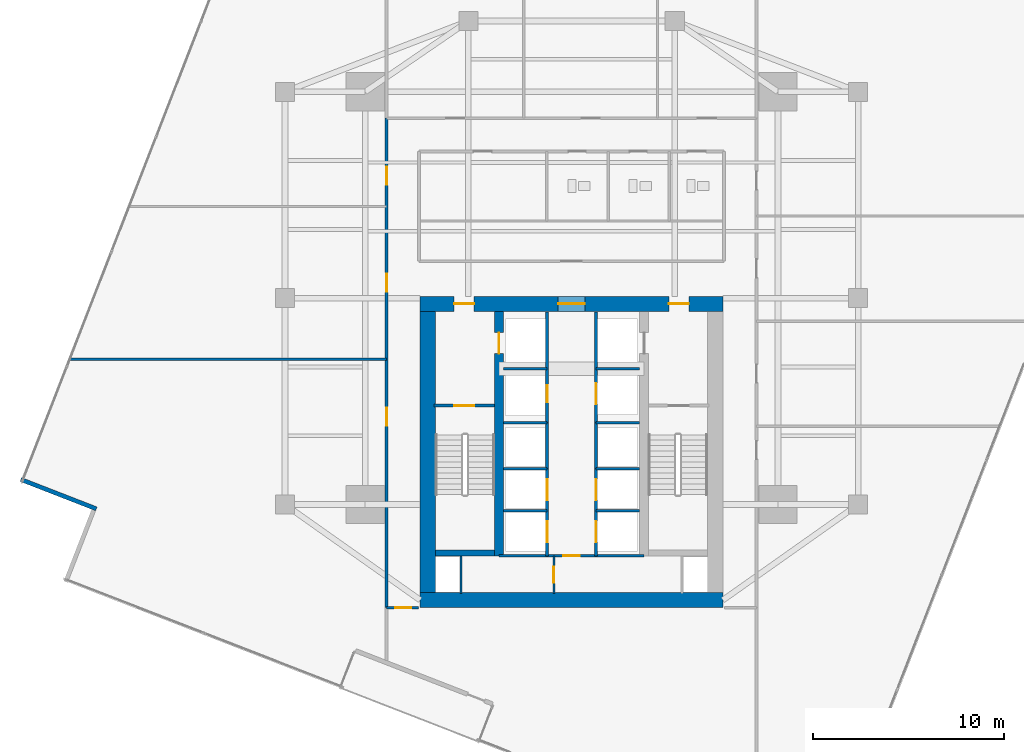
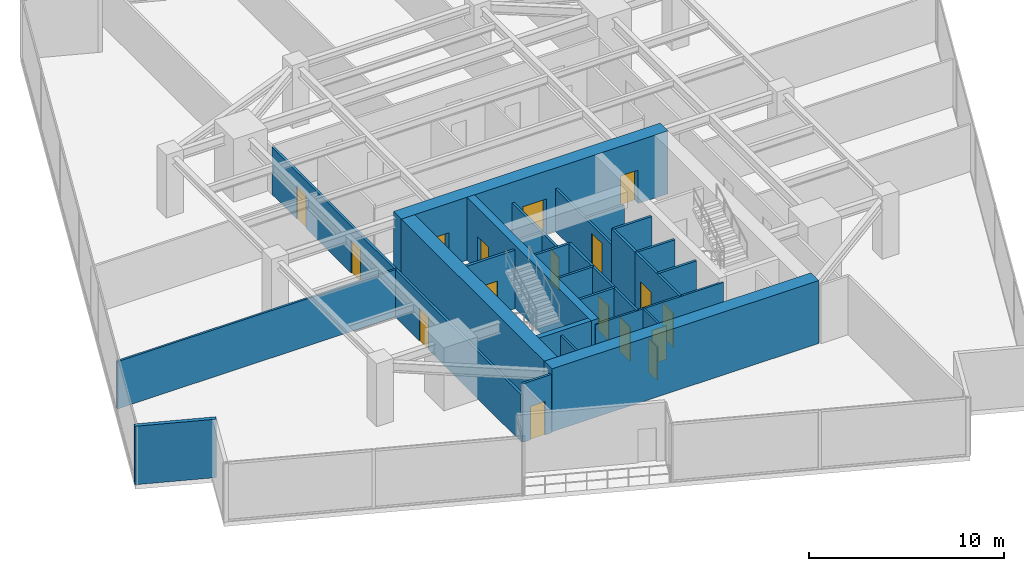
# One storey, part 22 of 26: 27 walls, 17 doors, 17 openings.
"""IFC4 building model written with IfcOpenShell, lengths in metres."""

import ifcopenshell
import ifcopenshell.guid

model = None  # the IFC model being written
_history = None  # IfcOwnerHistory: only IFC2X3 demands one
_inside = {}  # id of a spatial element -> (the spatial element, [elements in it])
_under = {}  # id of a project, library or spatial element -> (it, [spatial elements below it])
_declared = {}  # id of a project -> (the project, [libraries it declares])
_typed = {}  # id of a type object -> (the type object, [elements of that type])
_made_of = {}  # id of a material, layer set ... -> (it, [elements and type objects made of it])


def new_model(schema):
    """Start an empty IFC model of exactly this schema.

    Asked for "IFC4X3", IfcOpenShell would pick the latest addendum, in which some entities
    have other attributes; the version numbers below select the first issue.
    IFC2X3 requires an IfcOwnerHistory on every rooted entity: one is made here for all.
    """
    global model, _history
    if schema == "IFC4X3":
        model = ifcopenshell.file(schema_version=(4, 3, 0, 0))
    else:
        model = ifcopenshell.file(schema=schema)
    _inside.clear()
    _under.clear()
    _declared.clear()
    _typed.clear()
    _made_of.clear()
    _history = None
    if model.schema == "IFC2X3":
        org = make("IfcOrganization", Name="unknown")
        user = make(
            "IfcPersonAndOrganization",
            ThePerson=make("IfcPerson", FamilyName="unknown"),
            TheOrganization=org,
        )
        app = make(
            "IfcApplication",
            ApplicationDeveloper=org,
            Version="unknown",
            ApplicationFullName="unknown",
            ApplicationIdentifier="unknown",
        )
        _history = make(
            "IfcOwnerHistory",
            OwningUser=user,
            OwningApplication=app,
            ChangeAction="ADDED",
            CreationDate=0,
        )
    return model


def make(cls, **values):
    """One entity of the class cls with the attributes given. An attribute that is None is left unset."""
    return model.create_entity(
        cls, **{name: value for name, value in values.items() if value is not None}
    )


def rooted(cls, **values):
    """An entity with a GlobalId (a new one), such as an element, a storey or a relation."""
    return make(cls, GlobalId=ifcopenshell.guid.new(), OwnerHistory=_history, **values)


def si_unit(unit_type, name, prefix=None):
    """IfcSIUnit, for example si_unit("LENGTHUNIT", "METRE", prefix="MILLI")."""
    return make("IfcSIUnit", UnitType=unit_type, Prefix=prefix, Name=name)


def assignment(units):
    """IfcUnitAssignment: the units of a project."""
    return None if units is None else make("IfcUnitAssignment", Units=units)


def point(xyz):
    """IfcCartesianPoint."""
    return None if xyz is None else make("IfcCartesianPoint", Coordinates=xyz)


def direction(xyz):
    """IfcDirection."""
    return None if xyz is None else make("IfcDirection", DirectionRatios=xyz)


def frame(location, z_axis=None, x_axis=None):
    """IfcAxis2Placement3D, a coordinate frame: its origin and axes. An axis left out is left unset."""
    return make(
        "IfcAxis2Placement3D",
        Location=point(location),
        Axis=direction(z_axis),
        RefDirection=direction(x_axis),
    )


def frame_2d(location, x_axis=None):
    """IfcAxis2Placement2D, a coordinate frame in the plane: its origin and x axis."""
    return make(
        "IfcAxis2Placement2D", Location=point(location), RefDirection=direction(x_axis)
    )


def origin():
    """The frame at (0, 0, 0) with its axes left unset."""
    return frame((0.0, 0.0, 0.0))


def place(relative_to, where):
    """IfcLocalPlacement: puts the frame where relative to a parent placement (None: the world)."""
    return make(
        "IfcLocalPlacement", PlacementRelTo=relative_to, RelativePlacement=where
    )


def context(
    kind, dimensions, precision=None, world=None, true_north=None, identifier=None
):
    """IfcGeometricRepresentationContext, for example the 3D "Model" context."""
    return make(
        "IfcGeometricRepresentationContext",
        ContextIdentifier=identifier,
        ContextType=kind,
        CoordinateSpaceDimension=dimensions,
        Precision=precision,
        WorldCoordinateSystem=world,
        TrueNorth=true_north,
    )


def subcontext(parent, identifier, kind, view, scale=None):
    """IfcGeometricRepresentationSubContext, for example "Body" below "Model"."""
    return make(
        "IfcGeometricRepresentationSubContext",
        ContextIdentifier=identifier,
        ContextType=kind,
        ParentContext=parent,
        TargetScale=scale,
        TargetView=view,
    )


def project(units=None, contexts=None):
    """IfcProject with its units and contexts."""
    return rooted(
        "IfcProject",
        Name="project",
        RepresentationContexts=contexts,
        UnitsInContext=assignment(units),
    )


def spatial(cls, under=None, at=None, **own):
    """A site, building, storey or space (cls), placed at a placement, below another one or the project."""
    s = rooted(cls, ObjectPlacement=at, **own)
    if under is not None:
        _under.setdefault(under.id(), (under, []))[1].append(s)
    return s


def profile(cls, at=None, kind="AREA", **sizes):
    """A parametric profile (cls). Its sizes go by their IFC names, for example OverallWidth=200.0."""
    return make(cls, ProfileType=kind, Position=at, **sizes)


def rectangle(**sizes):
    """IfcRectangleProfileDef."""
    return profile("IfcRectangleProfileDef", **sizes)


def extrude(swept, where, along, depth):
    """IfcExtrudedAreaSolid: the profile swept, set in the frame where, extruded along a direction by depth."""
    return make(
        "IfcExtrudedAreaSolid",
        SweptArea=swept,
        Position=where,
        ExtrudedDirection=direction(along),
        Depth=depth,
    )


def shape(context_of_items, identifier, shape_type, items):
    """IfcShapeRepresentation: the items that make up one representation, for example the "Body"."""
    return make(
        "IfcShapeRepresentation",
        ContextOfItems=context_of_items,
        RepresentationIdentifier=identifier,
        RepresentationType=shape_type,
        Items=items,
    )


def material(Name=None, Category=None):
    """IfcMaterial."""
    return make("IfcMaterial", Name=Name, Category=Category)


def layer(
    of_material, thickness, ventilated=None, Name=None, Category=None, Priority=None
):
    """IfcMaterialLayer: one layer of a wall or slab, of a material (None: an air gap)."""
    return make(
        "IfcMaterialLayer",
        Material=of_material,
        LayerThickness=thickness,
        IsVentilated=ventilated,
        Name=Name,
        Category=Category,
        Priority=Priority,
    )


def layer_set(layers, Name=None):
    """IfcMaterialLayerSet."""
    return make("IfcMaterialLayerSet", MaterialLayers=layers, LayerSetName=Name)


def made_of(thing, what):
    """Note that an element or type object is made of a material, layer set ...; save() writes the relation."""
    if what is not None:
        _made_of.setdefault(what.id(), (what, []))[1].append(thing)
    return thing


def type_object(cls, material=None, **own):
    """A type object (cls), such as IfcWallType, which elements share."""
    return made_of(rooted(cls, **own), material)


def element(
    cls,
    number,
    at=None,
    inside=None,
    cuts=None,
    type_object=None,
    material=None,
    context=None,
    identifier="Body",
    shape_type=None,
    held_by="IfcProductDefinitionShape",
    body=None,
    shapes=None,
    **own,
):
    """One element of the class cls, such as IfcWall. Its Tag is "e" and its number.

    at: its placement. inside: the storey or other place that contains it. cuts: it is an
    opening in that element (IfcRelVoidsElement). A single representation is given by context,
    identifier, shape_type and body (its items); several are given by shapes. held_by: the class
    of the entity that holds the representations. save() writes the other relations.
    """
    e = rooted(cls, Tag="e%d" % number, ObjectPlacement=at, **own)
    if body is not None:
        shapes = [shape(context, identifier, shape_type, body)]
    if shapes is not None:
        e.Representation = make(held_by, Representations=shapes)
    if inside is not None:
        _inside.setdefault(inside.id(), (inside, []))[1].append(e)
    if cuts is not None:
        rooted(
            "IfcRelVoidsElement", RelatingBuildingElement=cuts, RelatedOpeningElement=e
        )
    if type_object is not None:
        _typed.setdefault(type_object.id(), (type_object, []))[1].append(e)
    return made_of(e, material)


def fill(opening, filler):
    """IfcRelFillsElement: the door or window that sits in an opening."""
    return rooted(
        "IfcRelFillsElement",
        RelatingOpeningElement=opening,
        RelatedBuildingElement=filler,
    )


def aggregate(whole, parts):
    """IfcRelAggregates: a whole, such as a stair, and the parts it consists of."""
    return rooted("IfcRelAggregates", RelatingObject=whole, RelatedObjects=parts)


def save(model, path):
    """Write the relations noted so far, then the file.

    IfcRelAggregates (storeys below a building ...), IfcRelContainedInSpatialStructure (elements
    in a storey), IfcRelDefinesByType, IfcRelAssociatesMaterial and IfcRelDeclares: one each for
    every whole, place, type object, material and project.
    """
    for whole, parts in _under.values():
        aggregate(whole, parts)
    for where, things in _inside.values():
        rooted(
            "IfcRelContainedInSpatialStructure",
            RelatedElements=things,
            RelatingStructure=where,
        )
    for kind, things in _typed.values():
        rooted("IfcRelDefinesByType", RelatedObjects=things, RelatingType=kind)
    for what, things in _made_of.values():
        rooted("IfcRelAssociatesMaterial", RelatedObjects=things, RelatingMaterial=what)
    for by, libraries in _declared.values():
        rooted("IfcRelDeclares", RelatingContext=by, RelatedDefinitions=libraries)
    model.write(path)


model = new_model("IFC4")

# Units and contexts
model_context = context("Model", 3, precision=1e-05, world=origin(), true_north=direction((0.0, 1.0)))
body_context = subcontext(model_context, "Body", "Model", "MODEL_VIEW")
ifc_project = project(units=[si_unit("LENGTHUNIT", "METRE"), si_unit("AREAUNIT", "SQUARE_METRE"), si_unit("VOLUMEUNIT", "CUBIC_METRE"), si_unit("PLANEANGLEUNIT", "RADIAN"), si_unit("MASSUNIT", "GRAM", prefix="KILO")], contexts=[model_context])

# Site, building, storey
site_placement = place(None, origin())
site = spatial("IfcSite", under=ifc_project, at=site_placement, CompositionType="ELEMENT")
building_placement = place(site_placement, origin())
building = spatial("IfcBuilding", under=site, at=building_placement, Name="Krantzveldt Concourse Tower", CompositionType="ELEMENT")
storey_placement = place(building_placement, frame((0.0, 0.0, 129.550048828125)))
storey = spatial("IfcBuildingStorey", under=building, at=storey_placement, Name="L31", CompositionType="ELEMENT", Elevation=129.550048828125)

# Wall
ifc_material_1 = material(Name="Anodised aluminium 6063-T6", Category="aluminium")
ifc_layer_1 = layer(ifc_material_1, 0.219970703125, Name="Anodised aluminium 6063-T6", Category="aluminium")
ifc_layer_set_1 = layer_set([ifc_layer_1], Name="Anodised aluminium 6063-T6 (WL-EXT-NOTCH220)")
wall_type_1 = type_object("IfcWallType", Name="WL-EXT-NOTCH220", PredefinedType="ELEMENTEDWALL", material=ifc_layer_set_1)
wall_1_placement = place(storey_placement, frame((7.17626953125, 17.211669921875, 0.0), z_axis=(0.0, 0.0, 1.0), x_axis=(0.932003592198, -0.362449036596, 0.0)))
element("IfcWall", 1, at=wall_1_placement, inside=storey, type_object=wall_type_1, Name="EW-L31-NCH02", PredefinedType="ELEMENTEDWALL", context=body_context, shape_type="SweptSolid", body=[
    extrude(rectangle(XDim=4.244873046875, YDim=0.219970703125, at=frame_2d((2.12255859375, 0.0))), origin(), (0.0, 0.0, 1.0), 3.669921875),
])

# Wall, opening, door
ifc_material_2 = material(Name="Fire-rated gypsum plasterboard on steel stud", Category="steel")
ifc_layer_2 = layer(ifc_material_2, 0.1201171875, Name="Fire-rated gypsum plasterboard on steel stud", Category="steel")
ifc_layer_set_2 = layer_set([ifc_layer_2], Name="Fire-rated gypsum plasterboard on steel stud (WL-PART-120)")
wall_type_2 = type_object("IfcWallType", Name="WL-PART-120", PredefinedType="PARTITIONING", material=ifc_layer_set_2)
wall_2_placement = place(storey_placement, frame((32.2099609375, 13.219970703125, 0.0), z_axis=(0.0, 0.0, 1.0), x_axis=(1.0, 0.0, 0.0)))
wall_2 = element("IfcWall", 2, at=wall_2_placement, inside=storey, type_object=wall_type_2, Name="WP-L31-CS2H", PredefinedType="PARTITIONING", context=body_context, shape_type="SweptSolid", body=[
    extrude(rectangle(XDim=7.580078125, YDim=0.1201171875, at=frame_2d((3.7900390625, 0.0))), origin(), (0.0, 0.0, 1.0), 3.669921875),
])
opening_1_placement = place(wall_2_placement, frame((3.364990234375, 0.0, 0.0)))
opening_1 = element("IfcOpeningElement", 3, at=opening_1_placement, cuts=wall_2, Name="Opening D-IN085", PredefinedType="OPENING", context=body_context, shape_type="SweptSolid", body=[
    extrude(rectangle(XDim=0.85009765625, YDim=2.10009765625, at=frame_2d((0.425048828125, 1.050048828125))), frame((0.0, 0.070068359375, 0.0), z_axis=(0.0, -1.0, 0.0), x_axis=(1.0, 0.0, 0.0)), (0.0, 0.0, 1.0), 0.14013671875),
])
ifc_material_3 = material(Name="Hardwood timber", Category="wood")
door_type_1 = type_object("IfcDoorType", Name="DR-INT-850", OperationType="SINGLE_SWING_LEFT", PredefinedType="DOOR", material=ifc_material_3)
door_1_placement = place(opening_1_placement, origin())
door_1 = element("IfcDoor", 4, at=door_1_placement, inside=storey, type_object=door_type_1, Name="DR-L31-LLBS", OperationType="SINGLE_SWING_RIGHT", OverallHeight=2.10009765625, OverallWidth=0.85009765625, PredefinedType="DOOR", context=body_context, shape_type="SweptSolid", body=[
    extrude(rectangle(XDim=0.85009765625, YDim=2.10009765625, at=frame_2d((0.425048828125, 1.050048828125))), frame((0.0, 0.02490234375, 0.0), z_axis=(0.0, -1.0, 0.0), x_axis=(1.0, 0.0, 0.0)), (0.0, 0.0, 1.0), 0.050048828125),
])
fill(opening_1, door_1)

wall_3_placement = place(storey_placement, frame((35.080078125, 11.25, 0.0), z_axis=(0.0, 0.0, 1.0), x_axis=(0.0, 1.0, 0.0)))
wall_3 = element("IfcWall", 5, at=wall_3_placement, inside=storey, type_object=wall_type_2, Name="WP-L31-CSA-V", PredefinedType="PARTITIONING", context=body_context, shape_type="SweptSolid", body=[
    extrude(rectangle(XDim=1.969970703125, YDim=0.1201171875, at=frame_2d((0.98486328125, 0.0))), origin(), (0.0, 0.0, 1.0), 3.669921875),
])
opening_2_placement = place(wall_3_placement, frame((0.544921875, 0.0, 0.0)))
opening_2 = element("IfcOpeningElement", 6, at=opening_2_placement, cuts=wall_3, Name="Opening D-IN085", PredefinedType="OPENING", context=body_context, shape_type="SweptSolid", body=[
    extrude(rectangle(XDim=0.85009765625, YDim=2.10009765625, at=frame_2d((0.425048828125, 1.050048828125))), frame((0.0, 0.070068359375, 0.0), z_axis=(0.0, -1.0, 0.0), x_axis=(1.0, 0.0, 0.0)), (0.0, 0.0, 1.0), 0.14013671875),
])
door_2_placement = place(opening_2_placement, origin())
door_2 = element("IfcDoor", 7, at=door_2_placement, inside=storey, type_object=door_type_1, Name="DR-L31-CSA1", OperationType="SINGLE_SWING_LEFT", OverallHeight=2.10009765625, OverallWidth=0.85009765625, PredefinedType="DOOR", context=body_context, shape_type="SweptSolid", body=[
    extrude(rectangle(XDim=0.85009765625, YDim=2.10009765625, at=frame_2d((0.425048828125, 1.050048828125))), frame((0.0, 0.02490234375, 0.0), z_axis=(0.0, -1.0, 0.0), x_axis=(1.0, 0.0, 0.0)), (0.0, 0.0, 1.0), 0.050048828125),
])
fill(opening_2, door_2)

# Wall
wall_4_placement = place(storey_placement, frame((9.7451171875, 23.5, 0.0), z_axis=(0.0, 0.0, 1.0), x_axis=(1.0, 0.0, 0.0)))
element("IfcWall", 8, at=wall_4_placement, inside=storey, type_object=wall_type_2, Name="WP-L31-WD1", PredefinedType="PARTITIONING", context=body_context, shape_type="SweptSolid", body=[
    extrude(rectangle(XDim=16.574951171875, YDim=0.1201171875, at=frame_2d((8.28759765625, 0.0))), origin(), (0.0, 0.0, 1.0), 2.969970703125),
])

# Wall, openings, doors
ifc_layer_3 = layer(ifc_material_2, 0.139892578125, Name="Fire-rated gypsum plasterboard on steel stud", Category="steel")
ifc_layer_set_3 = layer_set([ifc_layer_3], Name="Fire-rated gypsum plasterboard on steel stud (WL-PART-140)")
wall_type_3 = type_object("IfcWallType", Name="WL-PART-140", PredefinedType="PARTITIONING", material=ifc_layer_set_3)
wall_5_placement = place(storey_placement, frame((26.320068359375, 10.5, 0.0), z_axis=(0.0, 0.0, 1.0), x_axis=(0.0, 1.0, 0.0)))
wall_5 = element("IfcWall", 9, at=wall_5_placement, inside=storey, type_object=wall_type_3, Name="WP-L31-CWEST", PredefinedType="PARTITIONING", context=body_context, shape_type="SweptSolid", body=[
    extrude(rectangle(XDim=25.6201171875, YDim=0.139892578125, at=frame_2d((12.81005859375, 0.0))), origin(), (0.0, 0.0, 1.0), 2.969970703125),
])
opening_3_placement = place(wall_5_placement, frame((9.52490234375, 0.0, 0.0)))
opening_3 = element("IfcOpeningElement", 10, at=opening_3_placement, cuts=wall_5, Name="Opening D-IN095", PredefinedType="OPENING", context=body_context, shape_type="SweptSolid", body=[
    extrude(rectangle(XDim=0.949951171875, YDim=2.10009765625, at=frame_2d((0.47509765625, 1.050048828125))), frame((0.0, 0.080078125, 0.0), z_axis=(0.0, -1.0, 0.0), x_axis=(1.0, 0.0, 0.0)), (0.0, 0.0, 1.0), 0.159912109375),
])
opening_4_placement = place(wall_5_placement, frame((16.52490234375, 0.0, 0.0)))
opening_4 = element("IfcOpeningElement", 11, at=opening_4_placement, cuts=wall_5, Name="Opening D-IN095", PredefinedType="OPENING", context=body_context, shape_type="SweptSolid", body=[
    extrude(rectangle(XDim=0.949951171875, YDim=2.10009765625, at=frame_2d((0.47509765625, 1.050048828125))), frame((0.0, 0.080078125, 0.0), z_axis=(0.0, -1.0, 0.0), x_axis=(1.0, 0.0, 0.0)), (0.0, 0.0, 1.0), 0.159912109375),
])
opening_5_placement = place(wall_5_placement, frame((22.125, 0.0, 0.0)))
opening_5 = element("IfcOpeningElement", 12, at=opening_5_placement, cuts=wall_5, Name="Opening D-IN095", PredefinedType="OPENING", context=body_context, shape_type="SweptSolid", body=[
    extrude(rectangle(XDim=0.949951171875, YDim=2.10009765625, at=frame_2d((0.47509765625, 1.050048828125))), frame((0.0, 0.080078125, 0.0), z_axis=(0.0, -1.0, 0.0), x_axis=(1.0, 0.0, 0.0)), (0.0, 0.0, 1.0), 0.159912109375),
])
door_type_2 = type_object("IfcDoorType", Name="DR-INT-950", OperationType="SINGLE_SWING_LEFT", PredefinedType="DOOR", material=ifc_material_3)
door_3_placement = place(opening_3_placement, origin())
door_3 = element("IfcDoor", 13, at=door_3_placement, inside=storey, type_object=door_type_2, Name="DR-L31-WR1", OperationType="SINGLE_SWING_LEFT", OverallHeight=2.10009765625, OverallWidth=0.949951171875, PredefinedType="DOOR", context=body_context, shape_type="SweptSolid", body=[
    extrude(rectangle(XDim=0.949951171875, YDim=2.10009765625, at=frame_2d((0.47509765625, 1.050048828125))), frame((0.0, 0.02490234375, 0.0), z_axis=(0.0, -1.0, 0.0), x_axis=(1.0, 0.0, 0.0)), (0.0, 0.0, 1.0), 0.050048828125),
])
fill(opening_3, door_3)
door_4_placement = place(opening_4_placement, origin())
door_4 = element("IfcDoor", 14, at=door_4_placement, inside=storey, type_object=door_type_2, Name="DR-L31-WR2", OperationType="SINGLE_SWING_LEFT", OverallHeight=2.10009765625, OverallWidth=0.949951171875, PredefinedType="DOOR", context=body_context, shape_type="SweptSolid", body=[
    extrude(rectangle(XDim=0.949951171875, YDim=2.10009765625, at=frame_2d((0.47509765625, 1.050048828125))), frame((0.0, 0.02490234375, 0.0), z_axis=(0.0, -1.0, 0.0), x_axis=(1.0, 0.0, 0.0)), (0.0, 0.0, 1.0), 0.050048828125),
])
fill(opening_4, door_4)
door_5_placement = place(opening_5_placement, origin())
door_5 = element("IfcDoor", 15, at=door_5_placement, inside=storey, type_object=door_type_2, Name="DR-L31-WR3", OperationType="SINGLE_SWING_LEFT", OverallHeight=2.10009765625, OverallWidth=0.949951171875, PredefinedType="DOOR", context=body_context, shape_type="SweptSolid", body=[
    extrude(rectangle(XDim=0.949951171875, YDim=2.10009765625, at=frame_2d((0.47509765625, 1.050048828125))), frame((0.0, 0.02490234375, 0.0), z_axis=(0.0, -1.0, 0.0), x_axis=(1.0, 0.0, 0.0)), (0.0, 0.0, 1.0), 0.050048828125),
])
fill(opening_5, door_5)

# Wall, opening, door
wall_6_placement = place(storey_placement, frame((26.320068359375, 10.5, 0.0), z_axis=(0.0, 0.0, 1.0), x_axis=(1.0, 0.0, 0.0)))
wall_6 = element("IfcWall", 16, at=wall_6_placement, inside=storey, type_object=wall_type_3, Name="WP-L31-CWBOT", PredefinedType="PARTITIONING", context=body_context, shape_type="SweptSolid", body=[
    extrude(rectangle(XDim=1.679931640625, YDim=0.139892578125, at=frame_2d((0.83984375, 0.0))), origin(), (0.0, 0.0, 1.0), 3.669921875),
])
opening_6_placement = place(wall_6_placement, frame((0.445068359375, 0.0, 0.0)))
opening_6 = element("IfcOpeningElement", 17, at=opening_6_placement, cuts=wall_6, Name="Opening D-IN085", PredefinedType="OPENING", context=body_context, shape_type="SweptSolid", body=[
    extrude(rectangle(XDim=0.85009765625, YDim=2.10009765625, at=frame_2d((0.425048828125, 1.050048828125))), frame((0.0, 0.080078125, 0.0), z_axis=(0.0, -1.0, 0.0), x_axis=(1.0, 0.0, 0.0)), (0.0, 0.0, 1.0), 0.159912109375),
])
door_6_placement = place(opening_6_placement, origin())
door_6 = element("IfcDoor", 18, at=door_6_placement, inside=storey, type_object=door_type_1, Name="DR-L31-SR1", OperationType="SINGLE_SWING_LEFT", OverallHeight=2.10009765625, OverallWidth=0.85009765625, PredefinedType="DOOR", context=body_context, shape_type="SweptSolid", body=[
    extrude(rectangle(XDim=0.85009765625, YDim=2.10009765625, at=frame_2d((0.425048828125, 1.050048828125))), frame((0.0, 0.02490234375, 0.0), z_axis=(0.0, -1.0, 0.0), x_axis=(1.0, 0.0, 0.0)), (0.0, 0.0, 1.0), 0.050048828125),
])
fill(opening_6, door_6)

ifc_layer_4 = layer(ifc_material_2, 0.139892578125, Name="Fire-rated gypsum plasterboard on steel stud", Category="steel")
ifc_layer_set_4 = layer_set([ifc_layer_4], Name="Fire-rated gypsum plasterboard on steel stud (WL-PART-FR140)")
wall_type_4 = type_object("IfcWallType", Name="WL-PART-FR140", PredefinedType="PARTITIONING", material=ifc_layer_set_4)
wall_7_placement = place(storey_placement, frame((34.719970703125, 20.199951171875, 0.0), z_axis=(0.0, 0.0, 1.0), x_axis=(0.0, 1.0, 0.0)))
wall_7 = element("IfcWall", 19, at=wall_7_placement, inside=storey, type_object=wall_type_4, Name="WP-L31-SHNW", PredefinedType="PARTITIONING", context=body_context, shape_type="SweptSolid", body=[
    extrude(rectangle(XDim=5.780029296875, YDim=0.139892578125, at=frame_2d((2.89013671875, 0.0))), origin(), (0.0, 0.0, 1.0), 2.669921875),
])
opening_7_placement = place(wall_7_placement, frame((1.050048828125, 0.0, 0.0)))
opening_7 = element("IfcOpeningElement", 20, at=opening_7_placement, cuts=wall_7, Name="Opening D-FD090", PredefinedType="OPENING", context=body_context, shape_type="SweptSolid", body=[
    extrude(rectangle(XDim=0.89990234375, YDim=2.10009765625, at=frame_2d((0.449951171875, 1.050048828125))), frame((0.0, 0.080078125, 0.0), z_axis=(0.0, -1.0, 0.0), x_axis=(1.0, 0.0, 0.0)), (0.0, 0.0, 1.0), 0.159912109375),
])
door_type_3 = type_object("IfcDoorType", Name="DR-FD60-900", OperationType="SINGLE_SWING_LEFT", PredefinedType="DOOR", material=ifc_material_3)
door_7_placement = place(opening_7_placement, origin())
door_7 = element("IfcDoor", 21, at=door_7_placement, inside=storey, type_object=door_type_3, Name="Electrical Riser Access Door L31", OperationType="SINGLE_SWING_LEFT", OverallHeight=2.10009765625, OverallWidth=0.89990234375, PredefinedType="DOOR", context=body_context, shape_type="SweptSolid", body=[
    extrude(rectangle(XDim=0.89990234375, YDim=2.10009765625, at=frame_2d((0.449951171875, 1.050048828125))), frame((0.0, 0.02490234375, 0.0), z_axis=(0.0, -1.0, 0.0), x_axis=(1.0, 0.0, 0.0)), (0.0, 0.0, 1.0), 0.050048828125),
])
fill(opening_7, door_7)

wall_8_placement = place(storey_placement, frame((37.280029296875, 20.199951171875, 0.0), z_axis=(0.0, 0.0, 1.0), x_axis=(0.0, 1.0, 0.0)))
wall_8 = element("IfcWall", 22, at=wall_8_placement, inside=storey, type_object=wall_type_4, Name="WP-L31-SHNE", PredefinedType="PARTITIONING", context=body_context, shape_type="SweptSolid", body=[
    extrude(rectangle(XDim=5.780029296875, YDim=0.139892578125, at=frame_2d((2.89013671875, 0.0))), origin(), (0.0, 0.0, 1.0), 2.669921875),
])
opening_8_placement = place(wall_8_placement, frame((0.949951171875, 0.0, 0.0)))
opening_8 = element("IfcOpeningElement", 23, at=opening_8_placement, cuts=wall_8, Name="Opening LD", PredefinedType="OPENING", context=body_context, shape_type="SweptSolid", body=[
    extrude(rectangle(XDim=1.10009765625, YDim=2.14990234375, at=frame_2d((0.550048828125, 1.074951171875))), frame((0.0, 0.080078125, 0.0), z_axis=(0.0, -1.0, 0.0), x_axis=(1.0, 0.0, 0.0)), (0.0, 0.0, 1.0), 0.159912109375),
])
ifc_material_4 = material(Name="Stainless steel 316L", Category="steel")
door_type_4 = type_object("IfcDoorType", Name="DR-SLIDE-LD1100", OperationType="DOUBLE_DOOR_SLIDING", PredefinedType="DOOR", material=ifc_material_4)
door_8_placement = place(opening_8_placement, origin())
door_8 = element("IfcDoor", 24, at=door_8_placement, inside=storey, type_object=door_type_4, Name="LD-L31-GL1", OperationType="DOUBLE_DOOR_SLIDING", OverallHeight=2.14990234375, OverallWidth=1.10009765625, PredefinedType="DOOR", context=body_context, shape_type="SweptSolid", body=[
    extrude(rectangle(XDim=1.10009765625, YDim=2.14990234375, at=frame_2d((0.550048828125, 1.074951171875))), frame((0.0, 0.02490234375, 0.0), z_axis=(0.0, -1.0, 0.0), x_axis=(1.0, 0.0, 0.0)), (0.0, 0.0, 1.0), 0.050048828125),
])
fill(opening_8, door_8)

# Walls
for number, where, z_axis, x_axis, name in (
    (25, (32.449951171875, 23.0, 0.0), (0.0, 0.0, 1.0), (1.0, 0.0, 0.0), "WP-L31-RISH"),
    (26, (37.280029296875, 23.0, 0.0), (0.0, 0.0, 1.0), (1.0, 0.0, 0.0), "WP-L31-GLH"),
):
    element("IfcWall", number, at=place(storey_placement, frame(where, z_axis=z_axis, x_axis=x_axis)), inside=storey, type_object=wall_type_4, Name=name, PredefinedType="PARTITIONING", context=body_context, shape_type="SweptSolid", body=[
        extrude(rectangle(XDim=2.27001953125, YDim=0.139892578125, at=frame_2d((1.135009765625, 0.0))), origin(), (0.0, 0.0, 1.0), 2.669921875),
    ])
for number, where, z_axis, x_axis, name in (
    (27, (34.719970703125, 17.780029296875, 0.0), (0.0, 0.0, 1.0), (0.0, 1.0, 0.0), "WP-L31-SHNW2"),
    (28, (37.280029296875, 17.780029296875, 0.0), (0.0, 0.0, 1.0), (0.0, 1.0, 0.0), "WP-L31-SHNE2"),
):
    element("IfcWall", number, at=place(storey_placement, frame(where, z_axis=z_axis, x_axis=x_axis)), inside=storey, type_object=wall_type_4, Name=name, PredefinedType="PARTITIONING", context=body_context, shape_type="SweptSolid", body=[
        extrude(rectangle(XDim=2.419921875, YDim=0.139892578125, at=frame_2d((1.2099609375, 0.0))), origin(), (0.0, 0.0, 1.0), 3.669921875),
    ])
for number, where, z_axis, x_axis, name in (
    (29, (32.449951171875, 17.780029296875, 0.0), (0.0, 0.0, 1.0), (1.0, 0.0, 0.0), "WP-L31-DIVW2"),
    (30, (32.449951171875, 20.179931640625, 0.0), (0.0, 0.0, 1.0), (1.0, 0.0, 0.0), "WP-L31-DIVW3"),
    (31, (37.280029296875, 17.780029296875, 0.0), (0.0, 0.0, 1.0), (1.0, 0.0, 0.0), "WP-L31-DIVE2"),
    (32, (37.280029296875, 20.179931640625, 0.0), (0.0, 0.0, 1.0), (1.0, 0.0, 0.0), "WP-L31-DIVE3"),
):
    element("IfcWall", number, at=place(storey_placement, frame(where, z_axis=z_axis, x_axis=x_axis)), inside=storey, type_object=wall_type_4, Name=name, PredefinedType="PARTITIONING", context=body_context, shape_type="SweptSolid", body=[
        extrude(rectangle(XDim=2.27001953125, YDim=0.139892578125, at=frame_2d((1.135009765625, 0.0))), origin(), (0.0, 0.0, 1.0), 3.669921875),
    ])

# Wall, openings, doors
wall_9_placement = place(storey_placement, frame((34.719970703125, 13.219970703125, 0.0), z_axis=(0.0, 0.0, 1.0), x_axis=(0.0, 1.0, 0.0)))
wall_9 = element("IfcWall", 33, at=wall_9_placement, inside=storey, type_object=wall_type_4, Name="WP-L31-SHSW", PredefinedType="PARTITIONING", context=body_context, shape_type="SweptSolid", body=[
    extrude(rectangle(XDim=4.56005859375, YDim=0.139892578125, at=frame_2d((2.280029296875, 0.0))), origin(), (0.0, 0.0, 1.0), 3.669921875),
])
opening_9_placement = place(wall_9_placement, frame((0.7099609375, 0.0, 0.0)))
opening_9 = element("IfcOpeningElement", 34, at=opening_9_placement, cuts=wall_9, Name="Opening LD", PredefinedType="OPENING", context=body_context, shape_type="SweptSolid", body=[
    extrude(rectangle(XDim=1.10009765625, YDim=2.14990234375, at=frame_2d((0.550048828125, 1.074951171875))), frame((0.0, 0.080078125, 0.0), z_axis=(0.0, -1.0, 0.0), x_axis=(1.0, 0.0, 0.0)), (0.0, 0.0, 1.0), 0.159912109375),
])
opening_10_placement = place(wall_9_placement, frame((2.909912109375, 0.0, 0.0)))
opening_10 = element("IfcOpeningElement", 35, at=opening_10_placement, cuts=wall_9, Name="Opening LD", PredefinedType="OPENING", context=body_context, shape_type="SweptSolid", body=[
    extrude(rectangle(XDim=1.10009765625, YDim=2.14990234375, at=frame_2d((0.550048828125, 1.074951171875))), frame((0.0, 0.080078125, 0.0), z_axis=(0.0, -1.0, 0.0), x_axis=(1.0, 0.0, 0.0)), (0.0, 0.0, 1.0), 0.159912109375),
])
door_9_placement = place(opening_9_placement, origin())
door_9 = element("IfcDoor", 36, at=door_9_placement, inside=storey, type_object=door_type_4, Name="LD-L31-PL1", OperationType="DOUBLE_DOOR_SLIDING", OverallHeight=2.14990234375, OverallWidth=1.10009765625, PredefinedType="DOOR", context=body_context, shape_type="SweptSolid", body=[
    extrude(rectangle(XDim=1.10009765625, YDim=2.14990234375, at=frame_2d((0.550048828125, 1.074951171875))), frame((0.0, 0.02490234375, 0.0), z_axis=(0.0, -1.0, 0.0), x_axis=(1.0, 0.0, 0.0)), (0.0, 0.0, 1.0), 0.050048828125),
])
fill(opening_9, door_9)
door_10_placement = place(opening_10_placement, origin())
door_10 = element("IfcDoor", 37, at=door_10_placement, inside=storey, type_object=door_type_4, Name="LD-L31-PL2", OperationType="DOUBLE_DOOR_SLIDING", OverallHeight=2.14990234375, OverallWidth=1.10009765625, PredefinedType="DOOR", context=body_context, shape_type="SweptSolid", body=[
    extrude(rectangle(XDim=1.10009765625, YDim=2.14990234375, at=frame_2d((0.550048828125, 1.074951171875))), frame((0.0, 0.02490234375, 0.0), z_axis=(0.0, -1.0, 0.0), x_axis=(1.0, 0.0, 0.0)), (0.0, 0.0, 1.0), 0.050048828125),
])
fill(opening_10, door_10)

# Wall
wall_10_placement = place(storey_placement, frame((32.449951171875, 15.580078125, 0.0), z_axis=(0.0, 0.0, 1.0), x_axis=(1.0, 0.0, 0.0)))
element("IfcWall", 38, at=wall_10_placement, inside=storey, type_object=wall_type_4, Name="WP-L31-DIVW1", PredefinedType="PARTITIONING", context=body_context, shape_type="SweptSolid", body=[
    extrude(rectangle(XDim=2.27001953125, YDim=0.139892578125, at=frame_2d((1.135009765625, 0.0))), origin(), (0.0, 0.0, 1.0), 3.669921875),
])

# Wall, openings, doors
wall_11_placement = place(storey_placement, frame((37.280029296875, 13.219970703125, 0.0), z_axis=(0.0, 0.0, 1.0), x_axis=(0.0, 1.0, 0.0)))
wall_11 = element("IfcWall", 39, at=wall_11_placement, inside=storey, type_object=wall_type_4, Name="WP-L31-SHSE", PredefinedType="PARTITIONING", context=body_context, shape_type="SweptSolid", body=[
    extrude(rectangle(XDim=4.56005859375, YDim=0.139892578125, at=frame_2d((2.280029296875, 0.0))), origin(), (0.0, 0.0, 1.0), 3.669921875),
])
opening_11_placement = place(wall_11_placement, frame((0.7099609375, 0.0, 0.0)))
opening_11 = element("IfcOpeningElement", 40, at=opening_11_placement, cuts=wall_11, Name="Opening LD", PredefinedType="OPENING", context=body_context, shape_type="SweptSolid", body=[
    extrude(rectangle(XDim=1.10009765625, YDim=2.14990234375, at=frame_2d((0.550048828125, 1.074951171875))), frame((0.0, 0.080078125, 0.0), z_axis=(0.0, -1.0, 0.0), x_axis=(1.0, 0.0, 0.0)), (0.0, 0.0, 1.0), 0.159912109375),
])
opening_12_placement = place(wall_11_placement, frame((2.909912109375, 0.0, 0.0)))
opening_12 = element("IfcOpeningElement", 41, at=opening_12_placement, cuts=wall_11, Name="Opening LD", PredefinedType="OPENING", context=body_context, shape_type="SweptSolid", body=[
    extrude(rectangle(XDim=1.10009765625, YDim=2.14990234375, at=frame_2d((0.550048828125, 1.074951171875))), frame((0.0, 0.080078125, 0.0), z_axis=(0.0, -1.0, 0.0), x_axis=(1.0, 0.0, 0.0)), (0.0, 0.0, 1.0), 0.159912109375),
])
door_11_placement = place(opening_11_placement, origin())
door_11 = element("IfcDoor", 42, at=door_11_placement, inside=storey, type_object=door_type_4, Name="LD-L31-PM1", OperationType="DOUBLE_DOOR_SLIDING", OverallHeight=2.14990234375, OverallWidth=1.10009765625, PredefinedType="DOOR", context=body_context, shape_type="SweptSolid", body=[
    extrude(rectangle(XDim=1.10009765625, YDim=2.14990234375, at=frame_2d((0.550048828125, 1.074951171875))), frame((0.0, 0.02490234375, 0.0), z_axis=(0.0, -1.0, 0.0), x_axis=(1.0, 0.0, 0.0)), (0.0, 0.0, 1.0), 0.050048828125),
])
fill(opening_11, door_11)
door_12_placement = place(opening_12_placement, origin())
door_12 = element("IfcDoor", 43, at=door_12_placement, inside=storey, type_object=door_type_4, Name="LD-L31-PM2", OperationType="DOUBLE_DOOR_SLIDING", OverallHeight=2.14990234375, OverallWidth=1.10009765625, PredefinedType="DOOR", context=body_context, shape_type="SweptSolid", body=[
    extrude(rectangle(XDim=1.10009765625, YDim=2.14990234375, at=frame_2d((0.550048828125, 1.074951171875))), frame((0.0, 0.02490234375, 0.0), z_axis=(0.0, -1.0, 0.0), x_axis=(1.0, 0.0, 0.0)), (0.0, 0.0, 1.0), 0.050048828125),
])
fill(opening_12, door_12)

# Walls
wall_12_placement = place(storey_placement, frame((37.280029296875, 15.580078125, 0.0), z_axis=(0.0, 0.0, 1.0), x_axis=(1.0, 0.0, 0.0)))
element("IfcWall", 44, at=wall_12_placement, inside=storey, type_object=wall_type_4, Name="WP-L31-DIVE1", PredefinedType="PARTITIONING", context=body_context, shape_type="SweptSolid", body=[
    extrude(rectangle(XDim=2.27001953125, YDim=0.139892578125, at=frame_2d((1.135009765625, 0.0))), origin(), (0.0, 0.0, 1.0), 3.669921875),
])
wall_13_placement = place(storey_placement, frame((30.219970703125, 11.25, 0.0), z_axis=(0.0, 0.0, 1.0), x_axis=(0.0, 1.0, 0.0)))
element("IfcWall", 45, at=wall_13_placement, inside=storey, type_object=wall_type_4, Name="WP-L31-RSW", PredefinedType="PARTITIONING", context=body_context, shape_type="SweptSolid", body=[
    extrude(rectangle(XDim=1.969970703125, YDim=0.1201171875, at=frame_2d((0.98486328125, 0.0))), origin(), (0.0, 0.0, 1.0), 3.669921875),
])

# Wall, opening, door
ifc_layer_5 = layer(ifc_material_2, 0.159912109375, Name="Fire-rated gypsum plasterboard on steel stud", Category="steel")
ifc_layer_set_5 = layer_set([ifc_layer_5], Name="Fire-rated gypsum plasterboard on steel stud (WL-PART-FR160)")
wall_type_5 = type_object("IfcWallType", Name="WL-PART-FR160", PredefinedType="PARTITIONING", material=ifc_layer_set_5)
wall_14_placement = place(storey_placement, frame((28.800048828125, 21.080078125, 0.0), z_axis=(0.0, 0.0, 1.0), x_axis=(1.0, 0.0, 0.0)))
wall_14 = element("IfcWall", 46, at=wall_14_placement, inside=storey, type_object=wall_type_5, Name="WP-L31-ST1", PredefinedType="PARTITIONING", context=body_context, shape_type="SweptSolid", body=[
    extrude(rectangle(XDim=3.159912109375, YDim=0.159912109375, at=frame_2d((1.580078125, 0.0))), origin(), (0.0, 0.0, 1.0), 3.669921875),
])
opening_13_placement = place(wall_14_placement, frame((1.054931640625, 0.0, 0.0)))
opening_13 = element("IfcOpeningElement", 47, at=opening_13_placement, cuts=wall_14, Name="Opening D-FD105", PredefinedType="OPENING", context=body_context, shape_type="SweptSolid", body=[
    extrude(rectangle(XDim=1.050048828125, YDim=2.10009765625, at=frame_2d((0.52490234375, 1.050048828125))), frame((0.0, 0.08984375, 0.0), z_axis=(0.0, -1.0, 0.0), x_axis=(1.0, 0.0, 0.0)), (0.0, 0.0, 1.0), 0.179931640625),
])
ifc_material_5 = material(Name="Galvanised steel", Category="steel")
door_type_5 = type_object("IfcDoorType", Name="DR-FD120-1050", OperationType="SINGLE_SWING_LEFT", PredefinedType="DOOR", material=ifc_material_5)
door_13_placement = place(opening_13_placement, origin())
door_13 = element("IfcDoor", 48, at=door_13_placement, inside=storey, type_object=door_type_5, Name="DR-L31-ST1", OperationType="SINGLE_SWING_RIGHT", OverallHeight=2.10009765625, OverallWidth=1.050048828125, PredefinedType="DOOR", context=body_context, shape_type="SweptSolid", body=[
    extrude(rectangle(XDim=1.050048828125, YDim=2.10009765625, at=frame_2d((0.52490234375, 1.050048828125))), frame((0.0, 0.02490234375, 0.0), z_axis=(0.0, -1.0, 0.0), x_axis=(1.0, 0.0, 0.0)), (0.0, 0.0, 1.0), 0.050048828125),
])
fill(opening_13, door_13)

# Wall
ifc_material_6 = material(Name="Concrete C50/60", Category="concrete")
ifc_layer_6 = layer(ifc_material_6, 0.300048828125, Name="Concrete C50/60", Category="concrete")
ifc_layer_set_6 = layer_set([ifc_layer_6], Name="Concrete C50/60 (WL-SHEAR-300)")
wall_type_6 = type_object("IfcWallType", Name="WL-SHEAR-300", PredefinedType="SHEAR", material=ifc_layer_set_6)
wall_15_placement = place(storey_placement, frame((28.8798828125, 13.3701171875, 0.0), z_axis=(0.0, 0.0, 1.0), x_axis=(1.0, 0.0, 0.0)))
element("IfcWall", 49, at=wall_15_placement, inside=storey, type_object=wall_type_6, Name="CW-L31-ST1S", PredefinedType="SHEAR", context=body_context, shape_type="SweptSolid", body=[
    extrude(rectangle(XDim=3.10009765625, YDim=0.300048828125, at=frame_2d((1.550048828125, 0.0))), origin(), (0.0, 0.0, 1.0), 3.949951171875),
])

# Wall, opening, door
ifc_layer_7 = layer(ifc_material_6, 0.449951171875, Name="Concrete C50/60", Category="concrete")
ifc_layer_set_7 = layer_set([ifc_layer_7], Name="Concrete C50/60 (WL-SHEAR-450)")
wall_type_7 = type_object("IfcWallType", Name="WL-SHEAR-450", PredefinedType="SHEAR", material=ifc_layer_set_7)
wall_16_placement = place(storey_placement, frame((32.205078125, 13.219970703125, 0.0), z_axis=(0.0, 0.0, 1.0), x_axis=(0.0, 1.0, 0.0)))
wall_16 = element("IfcWall", 50, at=wall_16_placement, inside=storey, type_object=wall_type_7, Name="CW-L31-IW", PredefinedType="SHEAR", context=body_context, shape_type="SweptSolid", body=[
    extrude(rectangle(XDim=12.780029296875, YDim=0.449951171875, at=frame_2d((6.39013671875, 0.0))), origin(), (0.0, 0.0, 1.0), 3.949951171875),
])
opening_14_placement = place(wall_16_placement, frame((10.580078125, 0.0, 0.0)))
opening_14 = element("IfcOpeningElement", 51, at=opening_14_placement, cuts=wall_16, Name="Opening LD", PredefinedType="OPENING", context=body_context, shape_type="SweptSolid", body=[
    extrude(rectangle(XDim=1.10009765625, YDim=2.14990234375, at=frame_2d((0.550048828125, 1.074951171875))), frame((0.0, 0.23486328125, 0.0), z_axis=(0.0, -1.0, 0.0), x_axis=(1.0, 0.0, 0.0)), (0.0, 0.0, 1.0), 0.469970703125),
])
door_14_placement = place(opening_14_placement, origin())
door_14 = element("IfcDoor", 52, at=door_14_placement, inside=storey, type_object=door_type_4, Name="LD-L31-FL1", OperationType="DOUBLE_DOOR_SLIDING", OverallHeight=2.14990234375, OverallWidth=1.10009765625, PredefinedType="DOOR", context=body_context, shape_type="SweptSolid", body=[
    extrude(rectangle(XDim=1.10009765625, YDim=2.14990234375, at=frame_2d((0.550048828125, 1.074951171875))), frame((0.0, 0.02490234375, 0.0), z_axis=(0.0, -1.0, 0.0), x_axis=(1.0, 0.0, 0.0)), (0.0, 0.0, 1.0), 0.050048828125),
])
fill(opening_14, door_14)

# Wall
ifc_material_7 = material(Name="Concrete C60/75", Category="concrete")
ifc_layer_8 = layer(ifc_material_7, 0.800048828125, Name="Concrete C60/75", Category="concrete")
ifc_layer_set_8 = layer_set([ifc_layer_8], Name="Concrete C60/75 (WL-SHEAR-800)")
wall_type_8 = type_object("IfcWallType", Name="WL-SHEAR-800", PredefinedType="SHEAR", material=ifc_layer_set_8)
wall_17_placement = place(storey_placement, frame((28.080078125, 10.89990234375, 0.0), z_axis=(0.0, 0.0, 1.0), x_axis=(1.0, 0.0, 0.0)))
element("IfcWall", 53, at=wall_17_placement, inside=storey, type_object=wall_type_8, Name="CW-L31-S", PredefinedType="SHEAR", context=body_context, shape_type="SweptSolid", body=[
    extrude(rectangle(XDim=15.83984375, YDim=0.800048828125, at=frame_2d((7.919921875, 0.0))), origin(), (0.0, 0.0, 1.0), 3.949951171875),
])

# Wall, openings, doors
wall_18_placement = place(storey_placement, frame((28.080078125, 26.39990234375, 0.0), z_axis=(0.0, 0.0, 1.0), x_axis=(1.0, 0.0, 0.0)))
wall_18 = element("IfcWall", 54, at=wall_18_placement, inside=storey, type_object=wall_type_8, Name="CW-L31-N", PredefinedType="SHEAR", context=body_context, shape_type="SweptSolid", body=[
    extrude(rectangle(XDim=15.83984375, YDim=0.800048828125, at=frame_2d((7.919921875, 0.0))), origin(), (0.0, 0.0, 1.0), 3.949951171875),
])
opening_15_placement = place(wall_18_placement, frame((7.219970703125, 0.0, 0.0)))
opening_15 = element("IfcOpeningElement", 55, at=opening_15_placement, cuts=wall_18, Name="Opening D-DB140", PredefinedType="OPENING", context=body_context, shape_type="SweptSolid", body=[
    extrude(rectangle(XDim=1.39990234375, YDim=2.199951171875, at=frame_2d((0.699951171875, 1.10009765625))), frame((0.0, 0.41015625, 0.0), z_axis=(0.0, -1.0, 0.0), x_axis=(1.0, 0.0, 0.0)), (0.0, 0.0, 1.0), 0.820068359375),
])
opening_16_placement = place(wall_18_placement, frame((1.77490234375, 0.0, 0.0)))
opening_16 = element("IfcOpeningElement", 56, at=opening_16_placement, cuts=wall_18, Name="Opening D-FD105", PredefinedType="OPENING", context=body_context, shape_type="SweptSolid", body=[
    extrude(rectangle(XDim=1.050048828125, YDim=2.10009765625, at=frame_2d((0.52490234375, 1.050048828125))), frame((0.0, 0.41015625, 0.0), z_axis=(0.0, -1.0, 0.0), x_axis=(1.0, 0.0, 0.0)), (0.0, 0.0, 1.0), 0.820068359375),
])
opening_17_placement = place(wall_18_placement, frame((13.014892578125, 0.0, 0.0)))
opening_17 = element("IfcOpeningElement", 57, at=opening_17_placement, cuts=wall_18, Name="Opening D-FD105", PredefinedType="OPENING", context=body_context, shape_type="SweptSolid", body=[
    extrude(rectangle(XDim=1.050048828125, YDim=2.10009765625, at=frame_2d((0.52490234375, 1.050048828125))), frame((0.0, 0.41015625, 0.0), z_axis=(0.0, -1.0, 0.0), x_axis=(1.0, 0.0, 0.0)), (0.0, 0.0, 1.0), 0.820068359375),
])
door_type_6 = type_object("IfcDoorType", Name="DR-DBL-1400", OperationType="DOUBLE_DOOR_SINGLE_SWING", PredefinedType="DOOR", material=ifc_material_1)
door_15_placement = place(opening_15_placement, origin())
door_15 = element("IfcDoor", 58, at=door_15_placement, inside=storey, type_object=door_type_6, Name="DR-L31-LLB", OperationType="DOUBLE_DOOR_SINGLE_SWING", OverallHeight=2.199951171875, OverallWidth=1.39990234375, PredefinedType="DOOR", context=body_context, shape_type="SweptSolid", body=[
    extrude(rectangle(XDim=1.39990234375, YDim=2.199951171875, at=frame_2d((0.699951171875, 1.10009765625))), frame((0.0, 0.02490234375, 0.0), z_axis=(0.0, -1.0, 0.0), x_axis=(1.0, 0.0, 0.0)), (0.0, 0.0, 1.0), 0.050048828125),
])
fill(opening_15, door_15)
door_16_placement = place(opening_16_placement, origin())
door_16 = element("IfcDoor", 59, at=door_16_placement, inside=storey, type_object=door_type_5, Name="DR-L31-FFL1", OperationType="SINGLE_SWING_LEFT", OverallHeight=2.10009765625, OverallWidth=1.050048828125, PredefinedType="DOOR", context=body_context, shape_type="SweptSolid", body=[
    extrude(rectangle(XDim=1.050048828125, YDim=2.10009765625, at=frame_2d((0.52490234375, 1.050048828125))), frame((0.0, 0.02490234375, 0.0), z_axis=(0.0, -1.0, 0.0), x_axis=(1.0, 0.0, 0.0)), (0.0, 0.0, 1.0), 0.050048828125),
])
fill(opening_16, door_16)
door_17_placement = place(opening_17_placement, origin())
door_17 = element("IfcDoor", 60, at=door_17_placement, inside=storey, type_object=door_type_5, Name="DR-L31-FFL2", OperationType="SINGLE_SWING_RIGHT", OverallHeight=2.10009765625, OverallWidth=1.050048828125, PredefinedType="DOOR", context=body_context, shape_type="SweptSolid", body=[
    extrude(rectangle(XDim=1.050048828125, YDim=2.10009765625, at=frame_2d((0.52490234375, 1.050048828125))), frame((0.0, 0.02490234375, 0.0), z_axis=(0.0, -1.0, 0.0), x_axis=(1.0, 0.0, 0.0)), (0.0, 0.0, 1.0), 0.050048828125),
])
fill(opening_17, door_17)

# Wall
wall_19_placement = place(storey_placement, frame((28.47998046875, 11.300048828125, 0.0), z_axis=(0.0, 0.0, 1.0), x_axis=(0.0, 1.0, 0.0)))
element("IfcWall", 61, at=wall_19_placement, inside=storey, type_object=wall_type_8, Name="CW-L31-W", PredefinedType="SHEAR", context=body_context, shape_type="SweptSolid", body=[
    extrude(rectangle(XDim=14.699951171875, YDim=0.800048828125, at=frame_2d((7.35009765625, 0.0))), origin(), (0.0, 0.0, 1.0), 3.949951171875),
])

save(model, "model.ifc")
